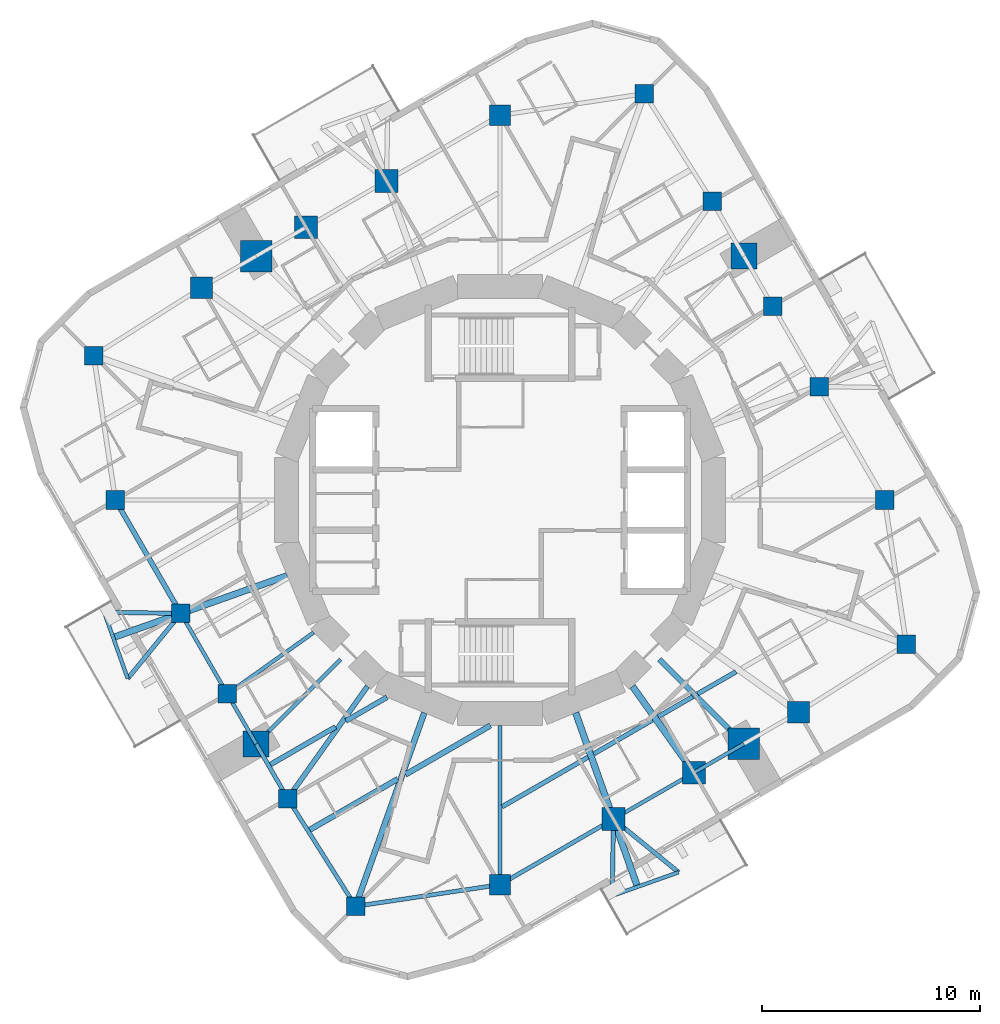
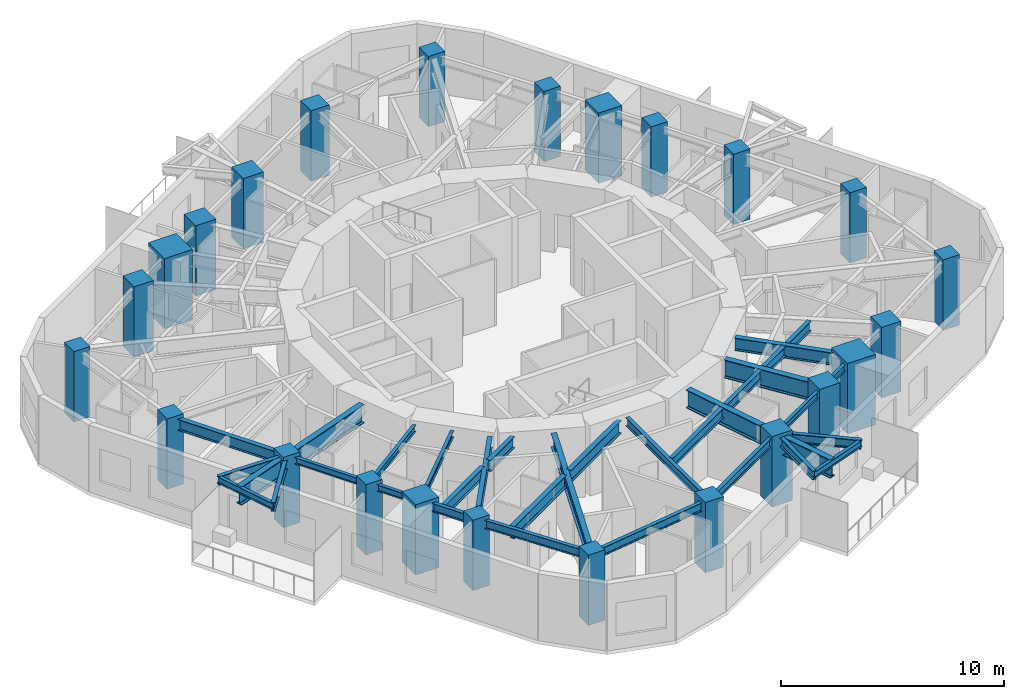
# One storey, part 1 of 11: 32 beams, 24 columns.
"""IFC4 building model written with IfcOpenShell, lengths in metres."""

from ifc_helpers import new_model, si_unit, direction, frame, origin, origin_2d, place, context, subcontext, project, spatial, rectangle, i_section, extrude, material, material_profile, profile_set, type_object, element, save


model = new_model("IFC4")

# Units and contexts
model_context = context("Model", 3, precision=1e-05, world=origin(), true_north=direction((0.0, 1.0)))
body_context = subcontext(model_context, "Body", "Model", "MODEL_VIEW")
ifc_project = project(units=[si_unit("LENGTHUNIT", "METRE"), si_unit("AREAUNIT", "SQUARE_METRE"), si_unit("VOLUMEUNIT", "CUBIC_METRE"), si_unit("PLANEANGLEUNIT", "RADIAN"), si_unit("MASSUNIT", "GRAM", prefix="KILO")], contexts=[model_context])

# Site, building, storey
site_placement = place(None, origin())
site = spatial("IfcSite", under=ifc_project, at=site_placement, CompositionType="ELEMENT")
building_placement = place(site_placement, origin())
building = spatial("IfcBuilding", under=site, at=building_placement, Name="Nakasero Lantern House", CompositionType="ELEMENT")
storey_placement = place(building_placement, frame((0.0, 0.0, 250.050048828125)))
storey = spatial("IfcBuildingStorey", under=building, at=storey_placement, Name="L61", CompositionType="ELEMENT", Elevation=250.050048828125)

# Columns
ifc_material_1 = material(Name="Concrete C45/55", Category="concrete")
ifc_material_profile_1 = material_profile(ifc_material_1, rectangle(XDim=1.199951171875, YDim=1.199951171875, at=origin_2d()), Name="RC 1200x1200")
ifc_profile_set_1 = profile_set([ifc_material_profile_1], Name="Concrete C45/55")
column_type_1 = type_object("IfcColumnType", Name="Mega column RC 1200x1200 C45/55", PredefinedType="COLUMN", material=ifc_profile_set_1)
for number, where, z_axis, x_axis, name in (
    (1, (11.200439453125, 11.200439453125, 0.0), (0.0, 0.0, 1.0), (1.0, 0.0, 0.0), "Column B6-C06 L61"),
    (2, (-11.200439453125, -11.200439453125, 0.0), (0.0, 0.0, 1.0), (1.0, 0.0, 0.0), "Column B6-C18 L61"),
):
    element("IfcColumn", number, at=place(storey_placement, frame(where, z_axis=z_axis, x_axis=x_axis)), inside=storey, type_object=column_type_1, Name=name, PredefinedType="COLUMN", context=body_context, shape_type="SweptSolid", body=[
        extrude(rectangle(XDim=1.199951171875, YDim=1.199951171875, at=origin_2d()), origin(), (0.0, 0.0, 1.0), 3.849853515625),
    ])
ifc_material_2 = material(Name="Concrete C45/55", Category="concrete")
ifc_material_profile_2 = material_profile(ifc_material_2, rectangle(XDim=1.449951171875, YDim=1.449951171875, at=origin_2d()), Name="RC 1450x1450")
ifc_profile_set_2 = profile_set([ifc_material_profile_2], Name="Concrete C45/55")
column_type_2 = type_object("IfcColumnType", Name="Mega column RC 1450x1450 C45/55", PredefinedType="COLUMN", material=ifc_profile_set_2)
for number, where, z_axis, x_axis, name in (
    (3, (-11.200439453125, 11.200439453125, 0.0), (0.0, 0.0, 1.0), (1.0, 0.0, 0.0), "Column B6-C12 L61"),
    (4, (11.200439453125, -11.200439453125, 0.0), (0.0, 0.0, 1.0), (1.0, 0.0, 0.0), "Column B6-C24 L61"),
):
    element("IfcColumn", number, at=place(storey_placement, frame(where, z_axis=z_axis, x_axis=x_axis)), inside=storey, type_object=column_type_2, Name=name, PredefinedType="COLUMN", context=body_context, shape_type="SweptSolid", body=[
        extrude(rectangle(XDim=1.449951171875, YDim=1.449951171875, at=origin_2d()), origin(), (0.0, 0.0, 1.0), 3.849853515625),
    ])
ifc_material_3 = material(Name="Concrete C45/55", Category="concrete")
ifc_material_profile_3 = material_profile(ifc_material_3, rectangle(XDim=1.0, YDim=1.0, at=origin_2d()), Name="RC 1000x1000")
ifc_profile_set_3 = profile_set([ifc_material_profile_3], Name="Concrete C45/55")
column_type_3 = type_object("IfcColumnType", Name="Ring column RC 1000x1000 C45/55", PredefinedType="COLUMN", material=ifc_profile_set_3)
for number, where, z_axis, x_axis, name in (
    (5, (13.711669921875, -9.75048828125, 0.0), (0.0, 0.0, 1.0), (1.0, 0.0, 0.0), "Column B6-C01 L61"),
    (6, (-13.711669921875, 9.75048828125, 0.0), (0.0, 0.0, 1.0), (1.0, 0.0, 0.0), "Column B6-C13 L61"),
):
    element("IfcColumn", number, at=place(storey_placement, frame(where, z_axis=z_axis, x_axis=x_axis)), inside=storey, type_object=column_type_3, Name=name, PredefinedType="COLUMN", context=body_context, shape_type="SweptSolid", body=[
        extrude(rectangle(XDim=1.0, YDim=1.0, at=origin_2d()), origin(), (0.0, 0.0, 1.0), 3.849853515625),
    ])
ifc_material_4 = material(Name="Concrete C45/55", Category="concrete")
ifc_material_profile_4 = material_profile(ifc_material_4, rectangle(XDim=1.050048828125, YDim=1.050048828125, at=origin_2d()), Name="RC 1050x1050")
ifc_profile_set_4 = profile_set([ifc_material_profile_4], Name="Concrete C45/55")
column_type_4 = type_object("IfcColumnType", Name="Ring column RC 1050x1050 C45/55", PredefinedType="COLUMN", material=ifc_profile_set_4)
for number, where, z_axis, x_axis, name in (
    (7, (-5.211669921875, 14.657958984375, 0.0), (0.0, 0.0, 1.0), (1.0, 0.0, 0.0), "Column B6-C10 L61"),
    (8, (-8.906494140625, 12.524658203125, 0.0), (0.0, 0.0, 1.0), (1.0, 0.0, 0.0), "Column B6-C11 L61"),
    (9, (5.211669921875, -14.657958984375, 0.0), (0.0, 0.0, 1.0), (1.0, 0.0, 0.0), "Column B6-C22 L61"),
    (10, (8.906494140625, -12.524658203125, 0.0), (0.0, 0.0, 1.0), (1.0, 0.0, 0.0), "Column B6-C23 L61"),
):
    element("IfcColumn", number, at=place(storey_placement, frame(where, z_axis=z_axis, x_axis=x_axis)), inside=storey, type_object=column_type_4, Name=name, PredefinedType="COLUMN", context=body_context, shape_type="SweptSolid", body=[
        extrude(rectangle(XDim=1.050048828125, YDim=1.050048828125, at=origin_2d()), origin(), (0.0, 0.0, 1.0), 3.849853515625),
    ])
ifc_material_5 = material(Name="Concrete C45/55", Category="concrete")
ifc_material_profile_5 = material_profile(ifc_material_5, rectangle(XDim=0.85009765625, YDim=0.85009765625, at=origin_2d()), Name="RC 850x850")
ifc_profile_set_5 = profile_set([ifc_material_profile_5], Name="Concrete C45/55")
column_type_5 = type_object("IfcColumnType", Name="Ring column RC 850x850 C45/55", PredefinedType="COLUMN", material=ifc_profile_set_5)
for number, where, z_axis, x_axis, name in (
    (11, (18.661376953125, -6.63525390625, 0.0), (0.0, 0.0, 1.0), (1.0, 0.0, 0.0), "Column B6-C02 L61"),
    (12, (17.6669921875, 0.0, 0.0), (0.0, 0.0, 1.0), (1.0, 0.0, 0.0), "Column B6-C03 L61"),
    (13, (14.657958984375, 5.211669921875, 0.0), (0.0, 0.0, 1.0), (1.0, 0.0, 0.0), "Column B6-C04 L61"),
    (14, (12.524658203125, 8.906494140625, 0.0), (0.0, 0.0, 1.0), (1.0, 0.0, 0.0), "Column B6-C05 L61"),
    (15, (9.75048828125, 13.711669921875, 0.0), (0.0, 0.0, 1.0), (1.0, 0.0, 0.0), "Column B6-C07 L61"),
    (16, (6.63525390625, 18.661376953125, 0.0), (0.0, 0.0, 1.0), (1.0, 0.0, 0.0), "Column B6-C08 L61"),
    (17, (-18.661376953125, 6.63525390625, 0.0), (0.0, 0.0, 1.0), (1.0, 0.0, 0.0), "Column B6-C14 L61"),
    (18, (-17.6669921875, 0.0, 0.0), (0.0, 0.0, 1.0), (1.0, 0.0, 0.0), "Column B6-C15 L61"),
    (19, (-14.657958984375, -5.211669921875, 0.0), (0.0, 0.0, 1.0), (1.0, 0.0, 0.0), "Column B6-C16 L61"),
    (20, (-12.524658203125, -8.906494140625, 0.0), (0.0, 0.0, 1.0), (1.0, 0.0, 0.0), "Column B6-C17 L61"),
    (21, (-9.75048828125, -13.711669921875, 0.0), (0.0, 0.0, 1.0), (1.0, 0.0, 0.0), "Column B6-C19 L61"),
    (22, (-6.63525390625, -18.661376953125, 0.0), (0.0, 0.0, 1.0), (1.0, 0.0, 0.0), "Column B6-C20 L61"),
):
    element("IfcColumn", number, at=place(storey_placement, frame(where, z_axis=z_axis, x_axis=x_axis)), inside=storey, type_object=column_type_5, Name=name, PredefinedType="COLUMN", context=body_context, shape_type="SweptSolid", body=[
        extrude(rectangle(XDim=0.85009765625, YDim=0.85009765625, at=origin_2d()), origin(), (0.0, 0.0, 1.0), 3.849853515625),
    ])
ifc_material_6 = material(Name="Concrete C45/55", Category="concrete")
ifc_material_profile_6 = material_profile(ifc_material_6, rectangle(XDim=0.949951171875, YDim=0.949951171875, at=origin_2d()), Name="RC 950x950")
ifc_profile_set_6 = profile_set([ifc_material_profile_6], Name="Concrete C45/55")
column_type_6 = type_object("IfcColumnType", Name="Ring column RC 950x950 C45/55", PredefinedType="COLUMN", material=ifc_profile_set_6)
for number, where, z_axis, x_axis, name in (
    (23, (0.0, 17.6669921875, 0.0), (0.0, 0.0, 1.0), (1.0, 0.0, 0.0), "Column B6-C09 L61"),
    (24, (0.0, -17.6669921875, 0.0), (0.0, 0.0, 1.0), (1.0, 0.0, 0.0), "Column B6-C21 L61"),
):
    element("IfcColumn", number, at=place(storey_placement, frame(where, z_axis=z_axis, x_axis=x_axis)), inside=storey, type_object=column_type_6, Name=name, PredefinedType="COLUMN", context=body_context, shape_type="SweptSolid", body=[
        extrude(rectangle(XDim=0.949951171875, YDim=0.949951171875, at=origin_2d()), origin(), (0.0, 0.0, 1.0), 3.849853515625),
    ])

# Beams
ifc_material_7 = material(Name="Steel S355", Category="steel")
ifc_material_profile_7 = material_profile(ifc_material_7, i_section(OverallWidth=0.199462890625, OverallDepth=0.491943359375, WebThickness=0.01806640625, FlangeThickness=0.031982421875, FilletRadius=0.01025390625, at=origin_2d()), Name="UB 457x191x161")
ifc_profile_set_7 = profile_set([ifc_material_profile_7], Name="Steel S355")
beam_type_1 = type_object("IfcBeamType", Name="Balcony splay beam UB 457x191x161", PredefinedType="BEAM", material=ifc_profile_set_7)
beam_1_placement = place(storey_placement, frame((-14.657958984375, -5.211669921875, 3.404052734375), z_axis=(-0.632127727159, -0.774864205236, 0.0), x_axis=(0.774864205236, -0.632127727159, 0.0)))
element("IfcBeam", 25, at=beam_1_placement, inside=storey, type_object=beam_type_1, Name="Balcony splay beam L62 B6-C16A", PredefinedType="BEAM", context=body_context, shape_type="SweptSolid", body=[
    extrude(i_section(OverallWidth=0.199462890625, OverallDepth=0.491943359375, WebThickness=0.01806640625, FlangeThickness=0.031982421875, FilletRadius=0.01025390625, at=origin_2d()), origin(), (0.0, 0.0, 1.0), 3.858642578125),
])
beam_2_placement = place(storey_placement, frame((-14.657958984375, -5.211669921875, 3.404052734375), z_axis=(-0.99985827803, 0.016835196893, 0.0), x_axis=(-0.016835196893, -0.99985827803, 0.0)))
element("IfcBeam", 26, at=beam_2_placement, inside=storey, type_object=beam_type_1, Name="Balcony splay beam L62 B6-C16B", PredefinedType="BEAM", context=body_context, shape_type="SweptSolid", body=[
    extrude(i_section(OverallWidth=0.199462890625, OverallDepth=0.491943359375, WebThickness=0.01806640625, FlangeThickness=0.031982421875, FilletRadius=0.01025390625, at=origin_2d()), origin(), (0.0, 0.0, 1.0), 3.52392578125),
])
beam_3_placement = place(storey_placement, frame((5.211669921875, -14.657958984375, 3.404052734375), z_axis=(0.774864205236, -0.632127727159, 0.0), x_axis=(0.632127727159, 0.774864205236, 0.0)))
element("IfcBeam", 27, at=beam_3_placement, inside=storey, type_object=beam_type_1, Name="Balcony splay beam L62 B6-C22A", PredefinedType="BEAM", context=body_context, shape_type="SweptSolid", body=[
    extrude(i_section(OverallWidth=0.199462890625, OverallDepth=0.491943359375, WebThickness=0.01806640625, FlangeThickness=0.031982421875, FilletRadius=0.01025390625, at=origin_2d()), origin(), (0.0, 0.0, 1.0), 3.858642578125),
])
beam_4_placement = place(storey_placement, frame((5.211669921875, -14.657958984375, 3.404052734375), z_axis=(-0.016835196893, -0.99985827803, 0.0), x_axis=(0.99985827803, -0.016835196893, 0.0)))
element("IfcBeam", 28, at=beam_4_placement, inside=storey, type_object=beam_type_1, Name="Balcony splay beam L62 B6-C22B", PredefinedType="BEAM", context=body_context, shape_type="SweptSolid", body=[
    extrude(i_section(OverallWidth=0.199462890625, OverallDepth=0.491943359375, WebThickness=0.01806640625, FlangeThickness=0.031982421875, FilletRadius=0.01025390625, at=origin_2d()), origin(), (0.0, 0.0, 1.0), 3.52392578125),
])
ifc_material_8 = material(Name="Steel S355", Category="steel")
ifc_material_profile_8 = material_profile(ifc_material_8, i_section(OverallWidth=0.17138671875, OverallDepth=0.35498046875, WebThickness=0.00732421875, FlangeThickness=0.011474609375, FilletRadius=0.01025390625, at=origin_2d()), Name="UB 356x171x51")
ifc_profile_set_8 = profile_set([ifc_material_profile_8], Name="Steel S355")
beam_type_2 = type_object("IfcBeamType", Name="Balcony tie beam UB 356x171x51", PredefinedType="BEAM", material=ifc_profile_set_8)
for number, where, z_axis, x_axis, name in (
    (29, (-17.09716796875, -8.20166015625, 3.472412109375), (-0.335017108852, 0.942212044487, 0.0), (-0.942212044487, -0.335017108852, 0.0), "Balcony tie beam L62 B6-C16"),
    (30, (8.20166015625, -17.09716796875, 3.472412109375), (-0.942212044487, -0.335017108852, 0.0), (0.335017108852, -0.942212044487, 0.0), "Balcony tie beam L62 B6-C22"),
):
    element("IfcBeam", number, at=place(storey_placement, frame(where, z_axis=z_axis, x_axis=x_axis)), inside=storey, type_object=beam_type_2, Name=name, PredefinedType="BEAM", context=body_context, shape_type="SweptSolid", body=[
        extrude(i_section(OverallWidth=0.17138671875, OverallDepth=0.35498046875, WebThickness=0.00732421875, FlangeThickness=0.011474609375, FilletRadius=0.01025390625, at=origin_2d()), origin(), (0.0, 0.0, 1.0), 3.236328125),
    ])
ifc_material_9 = material(Name="Steel S355", Category="steel")
ifc_material_profile_9 = material_profile(ifc_material_9, i_section(OverallWidth=0.2099609375, OverallDepth=0.53662109375, WebThickness=0.0107421875, FlangeThickness=0.017333984375, FilletRadius=0.0126953125, at=origin_2d()), Name="UB 533x210x101")
ifc_profile_set_9 = profile_set([ifc_material_profile_9], Name="Steel S355")
beam_type_3 = type_object("IfcBeamType", Name="Infill beam UB 533x210x101", PredefinedType="JOIST", material=ifc_profile_set_9)
beam_5_placement = place(storey_placement, frame((0.095703125, -14.08984375, 3.381591796875), z_axis=(0.866027576455, 0.499996236806, 0.0), x_axis=(-0.499996236806, 0.866027576455, 0.0)))
element("IfcBeam", 31, at=beam_5_placement, inside=storey, type_object=beam_type_3, Name="Infill beam L62 03.1", PredefinedType="JOIST", context=body_context, shape_type="SweptSolid", body=[
    extrude(i_section(OverallWidth=0.2099609375, OverallDepth=0.53662109375, WebThickness=0.0107421875, FlangeThickness=0.017333984375, FilletRadius=0.0126953125, at=origin_2d()), origin(), (0.0, 0.0, 1.0), 4.55419921875),
])
beam_6_placement = place(storey_placement, frame((4.3056640625, -11.6591796875, 3.381591796875), z_axis=(0.866018346476, 0.500012223418, 0.0), x_axis=(-0.500012223418, 0.866018346476, 0.0)))
element("IfcBeam", 32, at=beam_6_placement, inside=storey, type_object=beam_type_3, Name="Infill beam L62 03.2", PredefinedType="JOIST", context=body_context, shape_type="SweptSolid", body=[
    extrude(i_section(OverallWidth=0.2099609375, OverallDepth=0.53662109375, WebThickness=0.0107421875, FlangeThickness=0.017333984375, FilletRadius=0.0126953125, at=origin_2d()), origin(), (0.0, 0.0, 1.0), 3.11181640625),
])
beam_7_placement = place(storey_placement, frame((7.261474609375, -9.95263671875, 3.381591796875), z_axis=(0.866068339032, 0.499925626596, 0.0), x_axis=(-0.499925626596, 0.866068339032, 0.0)))
element("IfcBeam", 33, at=beam_7_placement, inside=storey, type_object=beam_type_3, Name="Infill beam L62 03.3", PredefinedType="JOIST", context=body_context, shape_type="SweptSolid", body=[
    extrude(i_section(OverallWidth=0.2099609375, OverallDepth=0.53662109375, WebThickness=0.0107421875, FlangeThickness=0.017333984375, FilletRadius=0.0126953125, at=origin_2d()), origin(), (0.0, 0.0, 1.0), 1.837646484375),
])
beam_8_placement = place(storey_placement, frame((9.082275390625, -8.9013671875, 3.381591796875), z_axis=(0.866057323903, 0.499944708657, 0.0), x_axis=(-0.499944708657, 0.866057323903, 0.0)))
element("IfcBeam", 34, at=beam_8_placement, inside=storey, type_object=beam_type_3, Name="Infill beam L62 03.4", PredefinedType="JOIST", context=body_context, shape_type="SweptSolid", body=[
    extrude(i_section(OverallWidth=0.2099609375, OverallDepth=0.53662109375, WebThickness=0.0107421875, FlangeThickness=0.017333984375, FilletRadius=0.0126953125, at=origin_2d()), origin(), (0.0, 0.0, 1.0), 2.028564453125),
])
ifc_material_10 = material(Name="Steel S355", Category="steel")
ifc_material_profile_10 = material_profile(ifc_material_10, i_section(OverallWidth=0.22900390625, OverallDepth=0.6123046875, WebThickness=0.011962890625, FlangeThickness=0.01953125, FilletRadius=0.0126953125, at=origin_2d()), Name="UB 610x229x125")
ifc_profile_set_10 = profile_set([ifc_material_profile_10], Name="Steel S355")
beam_type_4 = type_object("IfcBeamType", Name="Infill beam UB 610x229x125", PredefinedType="JOIST", material=ifc_profile_set_10)
beam_9_placement = place(storey_placement, frame((-10.542236328125, -12.14892578125, 3.34375), z_axis=(0.866006607564, 0.500032554596, 0.0), x_axis=(-0.500032554596, 0.866006607564, 0.0)))
element("IfcBeam", 35, at=beam_9_placement, inside=storey, type_object=beam_type_4, Name="Infill beam L62 05.1", PredefinedType="JOIST", context=body_context, shape_type="SweptSolid", body=[
    extrude(i_section(OverallWidth=0.22900390625, OverallDepth=0.6123046875, WebThickness=0.011962890625, FlangeThickness=0.01953125, FilletRadius=0.0126953125, at=origin_2d()), origin(), (0.0, 0.0, 1.0), 3.452880859375),
])
beam_10_placement = place(storey_placement, frame((-7.0751953125, -10.14697265625, 3.34375), z_axis=(0.866043427695, 0.499968780372, 0.0), x_axis=(-0.499968780372, 0.866043427695, 0.0)))
element("IfcBeam", 36, at=beam_10_placement, inside=storey, type_object=beam_type_4, Name="Infill beam L62 05.2", PredefinedType="JOIST", context=body_context, shape_type="SweptSolid", body=[
    extrude(i_section(OverallWidth=0.22900390625, OverallDepth=0.6123046875, WebThickness=0.011962890625, FlangeThickness=0.01953125, FilletRadius=0.0126953125, at=origin_2d()), origin(), (0.0, 0.0, 1.0), 2.173583984375),
])
ifc_material_11 = material(Name="Steel S355", Category="steel")
ifc_material_profile_11 = material_profile(ifc_material_11, i_section(OverallWidth=0.253662109375, OverallDepth=0.68359375, WebThickness=0.012451171875, FlangeThickness=0.01904296875, FilletRadius=0.01513671875, at=origin_2d()), Name="UB 686x254x140")
ifc_profile_set_11 = profile_set([ifc_material_profile_11], Name="Steel S355")
beam_type_5 = type_object("IfcBeamType", Name="Infill beam UB 686x254x140", PredefinedType="JOIST", material=ifc_profile_set_11)
beam_11_placement = place(storey_placement, frame((-8.735107421875, -15.146728515625, 3.30810546875), z_axis=(0.866023347809, 0.500003561037, 0.0), x_axis=(-0.500003561037, 0.866023347809, 0.0)))
element("IfcBeam", 37, at=beam_11_placement, inside=storey, type_object=beam_type_5, Name="Infill beam L62 04.1", PredefinedType="JOIST", context=body_context, shape_type="SweptSolid", body=[
    extrude(i_section(OverallWidth=0.253662109375, OverallDepth=0.68359375, WebThickness=0.012451171875, FlangeThickness=0.01904296875, FilletRadius=0.01513671875, at=origin_2d()), origin(), (0.0, 0.0, 1.0), 4.6611328125),
])
beam_12_placement = place(storey_placement, frame((-4.34228515625, -12.610595703125, 3.30810546875), z_axis=(0.866030378168, 0.499991384017, 0.0), x_axis=(-0.499991384017, 0.866030378168, 0.0)))
element("IfcBeam", 38, at=beam_12_placement, inside=storey, type_object=beam_type_5, Name="Infill beam L62 04.2", PredefinedType="JOIST", context=body_context, shape_type="SweptSolid", body=[
    extrude(i_section(OverallWidth=0.253662109375, OverallDepth=0.68359375, WebThickness=0.012451171875, FlangeThickness=0.01904296875, FilletRadius=0.01513671875, at=origin_2d()), origin(), (0.0, 0.0, 1.0), 4.50537109375),
])
ifc_material_12 = material(Name="Steel S355", Category="steel")
ifc_material_profile_12 = material_profile(ifc_material_12, i_section(OverallWidth=0.300048828125, OverallDepth=1.0, WebThickness=0.01904296875, FlangeThickness=0.035888671875, FilletRadius=0.030029296875, at=origin_2d()), Name="UB 1016x305x314")
ifc_profile_set_12 = profile_set([ifc_material_profile_12], Name="Steel S355")
beam_type_6 = type_object("IfcBeamType", Name="Primary beam UB 1016x305x314, span to 6 m", PredefinedType="BEAM", material=ifc_profile_set_12)
beam_13_placement = place(storey_placement, frame((8.906494140625, -12.524658203125, 3.14990234375), z_axis=(-0.579513415446, 0.814962699342, 0.0), x_axis=(-0.814962699342, -0.579513415446, 0.0)))
element("IfcBeam", 39, at=beam_13_placement, inside=storey, type_object=beam_type_6, Name="Primary beam L62 B6-C23", PredefinedType="BEAM", context=body_context, shape_type="SweptSolid", body=[
    extrude(i_section(OverallWidth=0.300048828125, OverallDepth=1.0, WebThickness=0.01904296875, FlangeThickness=0.035888671875, FilletRadius=0.030029296875, at=origin_2d()), origin(), (0.0, 0.0, 1.0), 4.8642578125),
])
ifc_material_13 = material(Name="Steel S355", Category="steel")
ifc_material_profile_13 = material_profile(ifc_material_13, i_section(OverallWidth=0.302001953125, OverallDepth=1.008056640625, WebThickness=0.02099609375, FlangeThickness=0.0400390625, FilletRadius=0.030029296875, at=origin_2d()), Name="UB 1016x305x349")
ifc_profile_set_13 = profile_set([ifc_material_profile_13], Name="Steel S355")
beam_type_7 = type_object("IfcBeamType", Name="Primary beam UB 1016x305x349, span to 6 m", PredefinedType="BEAM", material=ifc_profile_set_13)
for number, where, z_axis, x_axis, name in (
    (40, (-17.767333984375, -6.317138671875, 3.14599609375), (0.94222457875, 0.33498185503, 0.0), (-0.33498185503, 0.94222457875, 0.0), "Primary beam L62 B6-C16"),
    (41, (6.317138671875, -17.767333984375, 3.14599609375), (-0.33498185503, 0.94222457875, 0.0), (-0.94222457875, -0.33498185503, 0.0), "Primary beam L62 B6-C22"),
):
    element("IfcBeam", number, at=place(storey_placement, frame(where, z_axis=z_axis, x_axis=x_axis)), inside=storey, type_object=beam_type_7, Name=name, PredefinedType="BEAM", context=body_context, shape_type="SweptSolid", body=[
        extrude(i_section(OverallWidth=0.302001953125, OverallDepth=1.008056640625, WebThickness=0.02099609375, FlangeThickness=0.0400390625, FilletRadius=0.030029296875, at=origin_2d()), origin(), (0.0, 0.0, 1.0), 8.485595703125),
    ])
ifc_material_14 = material(Name="Steel S355", Category="steel")
ifc_material_profile_14 = material_profile(ifc_material_14, i_section(OverallWidth=0.17138671875, OverallDepth=0.35498046875, WebThickness=0.00732421875, FlangeThickness=0.011474609375, FilletRadius=0.01025390625, at=origin_2d()), Name="UB 356x171x51")
ifc_profile_set_14 = profile_set([ifc_material_profile_14], Name="Steel S355")
beam_type_8 = type_object("IfcBeamType", Name="Primary beam UB 356x171x51, span to 6 m", PredefinedType="BEAM", material=ifc_profile_set_14)
beam_14_placement = place(storey_placement, frame((-12.524658203125, -8.906494140625, 3.472412109375), z_axis=(0.814962699342, 0.579513415446, 0.0), x_axis=(-0.579513415446, 0.814962699342, 0.0)))
element("IfcBeam", 42, at=beam_14_placement, inside=storey, type_object=beam_type_8, Name="Primary beam L62 B6-C17", PredefinedType="BEAM", context=body_context, shape_type="SweptSolid", body=[
    extrude(i_section(OverallWidth=0.17138671875, OverallDepth=0.35498046875, WebThickness=0.00732421875, FlangeThickness=0.011474609375, FilletRadius=0.01025390625, at=origin_2d()), origin(), (0.0, 0.0, 1.0), 4.8642578125),
])
beam_15_placement = place(storey_placement, frame((-11.200439453125, -11.200439453125, 3.472412109375), z_axis=(0.707106781187, 0.707106781187, 0.0), x_axis=(-0.707106781187, 0.707106781187, 0.0)))
element("IfcBeam", 43, at=beam_15_placement, inside=storey, type_object=beam_type_8, Name="Primary beam L62 B6-C18", PredefinedType="BEAM", context=body_context, shape_type="SweptSolid", body=[
    extrude(i_section(OverallWidth=0.17138671875, OverallDepth=0.35498046875, WebThickness=0.00732421875, FlangeThickness=0.011474609375, FilletRadius=0.01025390625, at=origin_2d()), origin(), (0.0, 0.0, 1.0), 5.481689453125),
])
ifc_material_15 = material(Name="Steel S355", Category="steel")
ifc_material_profile_15 = material_profile(ifc_material_15, i_section(OverallWidth=0.19140625, OverallDepth=0.4599609375, WebThickness=0.010009765625, FlangeThickness=0.01611328125, FilletRadius=0.01025390625, at=origin_2d()), Name="UB 457x191x82")
ifc_profile_set_15 = profile_set([ifc_material_profile_15], Name="Steel S355")
beam_type_9 = type_object("IfcBeamType", Name="Primary beam UB 457x191x82, span 6 to 9 m", PredefinedType="BEAM", material=ifc_profile_set_15)
beam_16_placement = place(storey_placement, frame((0.0, -17.6669921875, 3.419921875), z_axis=(0.0, 1.0, 0.0), x_axis=(-1.0, 0.0, 0.0)))
element("IfcBeam", 44, at=beam_16_placement, inside=storey, type_object=beam_type_9, Name="Primary beam L62 B6-C21", PredefinedType="BEAM", context=body_context, shape_type="SweptSolid", body=[
    extrude(i_section(OverallWidth=0.19140625, OverallDepth=0.4599609375, WebThickness=0.010009765625, FlangeThickness=0.01611328125, FilletRadius=0.01025390625, at=origin_2d()), origin(), (0.0, 0.0, 1.0), 7.30908203125),
])
ifc_material_16 = material(Name="Steel S355", Category="steel")
ifc_material_profile_16 = material_profile(ifc_material_16, i_section(OverallWidth=0.22900390625, OverallDepth=0.6123046875, WebThickness=0.011962890625, FlangeThickness=0.01953125, FilletRadius=0.0126953125, at=origin_2d()), Name="UB 610x229x125")
ifc_profile_set_16 = profile_set([ifc_material_profile_16], Name="Steel S355")
beam_type_10 = type_object("IfcBeamType", Name="Primary beam UB 610x229x125, span 6 to 9 m", PredefinedType="BEAM", material=ifc_profile_set_16)
beam_17_placement = place(storey_placement, frame((-9.75048828125, -13.711669921875, 3.34375), z_axis=(0.579504973637, 0.814968702178, 0.0), x_axis=(-0.814968702178, 0.579504973637, 0.0)))
element("IfcBeam", 45, at=beam_17_placement, inside=storey, type_object=beam_type_10, Name="Primary beam L62 B6-C19", PredefinedType="BEAM", context=body_context, shape_type="SweptSolid", body=[
    extrude(i_section(OverallWidth=0.22900390625, OverallDepth=0.6123046875, WebThickness=0.011962890625, FlangeThickness=0.01953125, FilletRadius=0.0126953125, at=origin_2d()), origin(), (0.0, 0.0, 1.0), 6.320556640625),
])
ifc_material_17 = material(Name="Steel S355", Category="steel")
ifc_material_profile_17 = material_profile(ifc_material_17, i_section(OverallWidth=0.255859375, OverallDepth=0.69287109375, WebThickness=0.014404296875, FlangeThickness=0.023681640625, FilletRadius=0.01513671875, at=origin_2d()), Name="UB 686x254x170")
ifc_profile_set_17 = profile_set([ifc_material_profile_17], Name="Steel S355")
beam_type_11 = type_object("IfcBeamType", Name="Primary beam UB 686x254x170, span to 6 m", PredefinedType="BEAM", material=ifc_profile_set_17)
beam_18_placement = place(storey_placement, frame((11.200439453125, -11.200439453125, 3.303466796875), z_axis=(-0.707106781187, 0.707106781187, 0.0), x_axis=(-0.707106781187, -0.707106781187, 0.0)))
element("IfcBeam", 46, at=beam_18_placement, inside=storey, type_object=beam_type_11, Name="Primary beam L62 B6-C24", PredefinedType="BEAM", context=body_context, shape_type="SweptSolid", body=[
    extrude(i_section(OverallWidth=0.255859375, OverallDepth=0.69287109375, WebThickness=0.014404296875, FlangeThickness=0.023681640625, FilletRadius=0.01513671875, at=origin_2d()), origin(), (0.0, 0.0, 1.0), 5.481689453125),
])
ifc_material_18 = material(Name="Steel S355", Category="steel")
ifc_material_profile_18 = material_profile(ifc_material_18, i_section(OverallWidth=0.2666015625, OverallDepth=0.76220703125, WebThickness=0.014404296875, FlangeThickness=0.021484375, FilletRadius=0.0166015625, at=origin_2d()), Name="UB 762x267x173")
ifc_profile_set_18 = profile_set([ifc_material_profile_18], Name="Steel S355")
beam_type_12 = type_object("IfcBeamType", Name="Primary beam UB 762x267x173, span 9 to 12 m", PredefinedType="BEAM", material=ifc_profile_set_18)
beam_19_placement = place(storey_placement, frame((-6.63525390625, -18.661376953125, 3.268798828125), z_axis=(0.335006604588, 0.942215779364, 0.0), x_axis=(-0.942215779364, 0.335006604588, 0.0)))
element("IfcBeam", 47, at=beam_19_placement, inside=storey, type_object=beam_type_12, Name="Primary beam L62 B6-C20", PredefinedType="BEAM", context=body_context, shape_type="SweptSolid", body=[
    extrude(i_section(OverallWidth=0.2666015625, OverallDepth=0.76220703125, WebThickness=0.014404296875, FlangeThickness=0.021484375, FilletRadius=0.0166015625, at=origin_2d()), origin(), (0.0, 0.0, 1.0), 9.4345703125),
])
ifc_material_19 = material(Name="Steel S355", Category="steel")
ifc_material_profile_19 = material_profile(ifc_material_19, i_section(OverallWidth=0.17138671875, OverallDepth=0.35498046875, WebThickness=0.00732421875, FlangeThickness=0.011474609375, FilletRadius=0.01025390625, at=origin_2d()), Name="UB 356x171x51")
ifc_profile_set_19 = profile_set([ifc_material_profile_19], Name="Steel S355")
beam_type_13 = type_object("IfcBeamType", Name="Ring beam UB 356x171x51", PredefinedType="BEAM", material=ifc_profile_set_19)
beam_20_placement = place(storey_placement, frame((-14.657958984375, -5.211669921875, 3.472412109375), z_axis=(0.500016352561, -0.866015962423, 0.0), x_axis=(0.866015962423, 0.500016352561, 0.0)))
element("IfcBeam", 48, at=beam_20_placement, inside=storey, type_object=beam_type_13, Name="Ring beam L62 B6-C16", PredefinedType="BEAM", context=body_context, shape_type="SweptSolid", body=[
    extrude(i_section(OverallWidth=0.17138671875, OverallDepth=0.35498046875, WebThickness=0.00732421875, FlangeThickness=0.011474609375, FilletRadius=0.01025390625, at=origin_2d()), origin(), (0.0, 0.0, 1.0), 4.266357421875),
])
beam_21_placement = place(storey_placement, frame((-12.524658203125, -8.906494140625, 3.472412109375), z_axis=(0.499945861543, -0.866056658381, 0.0), x_axis=(0.866056658381, 0.499945861543, 0.0)))
element("IfcBeam", 49, at=beam_21_placement, inside=storey, type_object=beam_type_13, Name="Ring beam L62 B6-C17", PredefinedType="BEAM", context=body_context, shape_type="SweptSolid", body=[
    extrude(i_section(OverallWidth=0.17138671875, OverallDepth=0.35498046875, WebThickness=0.00732421875, FlangeThickness=0.011474609375, FilletRadius=0.01025390625, at=origin_2d()), origin(), (0.0, 0.0, 1.0), 2.648681640625),
])
beam_22_placement = place(storey_placement, frame((5.211669921875, -14.657958984375, 3.472412109375), z_axis=(0.866015962423, 0.500016352561, 0.0), x_axis=(-0.500016352561, 0.866015962423, 0.0)))
element("IfcBeam", 50, at=beam_22_placement, inside=storey, type_object=beam_type_13, Name="Ring beam L62 B6-C22", PredefinedType="BEAM", context=body_context, shape_type="SweptSolid", body=[
    extrude(i_section(OverallWidth=0.17138671875, OverallDepth=0.35498046875, WebThickness=0.00732421875, FlangeThickness=0.011474609375, FilletRadius=0.01025390625, at=origin_2d()), origin(), (0.0, 0.0, 1.0), 4.266357421875),
])
beam_23_placement = place(storey_placement, frame((8.906494140625, -12.524658203125, 3.472412109375), z_axis=(0.866056658381, 0.499945861543, 0.0), x_axis=(-0.499945861543, 0.866056658381, 0.0)))
element("IfcBeam", 51, at=beam_23_placement, inside=storey, type_object=beam_type_13, Name="Ring beam L62 B6-C23", PredefinedType="BEAM", context=body_context, shape_type="SweptSolid", body=[
    extrude(i_section(OverallWidth=0.17138671875, OverallDepth=0.35498046875, WebThickness=0.00732421875, FlangeThickness=0.011474609375, FilletRadius=0.01025390625, at=origin_2d()), origin(), (0.0, 0.0, 1.0), 2.648681640625),
])
ifc_material_20 = material(Name="Steel S355", Category="steel")
ifc_material_profile_20 = material_profile(ifc_material_20, i_section(OverallWidth=0.18994140625, OverallDepth=0.453369140625, WebThickness=0.008544921875, FlangeThickness=0.0126953125, FilletRadius=0.01025390625, at=origin_2d()), Name="UB 457x191x67")
ifc_profile_set_20 = profile_set([ifc_material_profile_20], Name="Steel S355")
beam_type_14 = type_object("IfcBeamType", Name="Ring beam UB 457x191x67", PredefinedType="BEAM", material=ifc_profile_set_20)
beam_24_placement = place(storey_placement, frame((-9.75048828125, -13.711669921875, 3.42333984375), z_axis=(0.532660471024, -0.846329027393, 0.0), x_axis=(0.846329027393, 0.532660471024, 0.0)))
element("IfcBeam", 52, at=beam_24_placement, inside=storey, type_object=beam_type_14, Name="Ring beam L62 B6-C19", PredefinedType="BEAM", context=body_context, shape_type="SweptSolid", body=[
    extrude(i_section(OverallWidth=0.18994140625, OverallDepth=0.453369140625, WebThickness=0.008544921875, FlangeThickness=0.0126953125, FilletRadius=0.01025390625, at=origin_2d()), origin(), (0.0, 0.0, 1.0), 5.848388671875),
])
beam_25_placement = place(storey_placement, frame((0.0, -17.6669921875, 3.42333984375), z_axis=(0.866020066889, 0.50000924366, 0.0), x_axis=(-0.50000924366, 0.866020066889, 0.0)))
element("IfcBeam", 53, at=beam_25_placement, inside=storey, type_object=beam_type_14, Name="Ring beam L62 B6-C21", PredefinedType="BEAM", context=body_context, shape_type="SweptSolid", body=[
    extrude(i_section(OverallWidth=0.18994140625, OverallDepth=0.453369140625, WebThickness=0.008544921875, FlangeThickness=0.0126953125, FilletRadius=0.01025390625, at=origin_2d()), origin(), (0.0, 0.0, 1.0), 6.01806640625),
])
ifc_material_21 = material(Name="Steel S355", Category="steel")
ifc_material_profile_21 = material_profile(ifc_material_21, i_section(OverallWidth=0.19140625, OverallDepth=0.4599609375, WebThickness=0.010009765625, FlangeThickness=0.01611328125, FilletRadius=0.01025390625, at=origin_2d()), Name="UB 457x191x82")
ifc_profile_set_21 = profile_set([ifc_material_profile_21], Name="Steel S355")
beam_type_15 = type_object("IfcBeamType", Name="Ring beam UB 457x191x82", PredefinedType="BEAM", material=ifc_profile_set_21)
beam_26_placement = place(storey_placement, frame((-11.200439453125, -11.200439453125, 3.419921875), z_axis=(0.500023687443, -0.866011727401, 0.0), x_axis=(0.866011727401, 0.500023687443, 0.0)))
element("IfcBeam", 54, at=beam_26_placement, inside=storey, type_object=beam_type_15, Name="Ring beam L62 B6-C18", PredefinedType="BEAM", context=body_context, shape_type="SweptSolid", body=[
    extrude(i_section(OverallWidth=0.19140625, OverallDepth=0.4599609375, WebThickness=0.010009765625, FlangeThickness=0.01611328125, FilletRadius=0.01025390625, at=origin_2d()), origin(), (0.0, 0.0, 1.0), 2.899658203125),
])
beam_27_placement = place(storey_placement, frame((-6.63525390625, -18.661376953125, 3.419921875), z_axis=(0.988956095107, 0.148208778253, 0.0), x_axis=(-0.148208778253, 0.988956095107, 0.0)))
element("IfcBeam", 55, at=beam_27_placement, inside=storey, type_object=beam_type_15, Name="Ring beam L62 B6-C20", PredefinedType="BEAM", context=body_context, shape_type="SweptSolid", body=[
    extrude(i_section(OverallWidth=0.19140625, OverallDepth=0.4599609375, WebThickness=0.010009765625, FlangeThickness=0.01611328125, FilletRadius=0.01025390625, at=origin_2d()), origin(), (0.0, 0.0, 1.0), 6.70947265625),
])
ifc_material_22 = material(Name="Steel S355", Category="steel")
ifc_material_profile_22 = material_profile(ifc_material_22, i_section(OverallWidth=0.22900390625, OverallDepth=0.6123046875, WebThickness=0.011962890625, FlangeThickness=0.01953125, FilletRadius=0.0126953125, at=origin_2d()), Name="UB 610x229x125")
ifc_profile_set_22 = profile_set([ifc_material_profile_22], Name="Steel S355")
beam_type_16 = type_object("IfcBeamType", Name="Ring beam UB 610x229x125", PredefinedType="BEAM", material=ifc_profile_set_22)
beam_28_placement = place(storey_placement, frame((-17.6669921875, 0.0, 3.34375), z_axis=(0.50000924366, -0.866020066889, 0.0), x_axis=(0.866020066889, 0.50000924366, 0.0)))
element("IfcBeam", 56, at=beam_28_placement, inside=storey, type_object=beam_type_16, Name="Ring beam L62 B6-C15", PredefinedType="BEAM", context=body_context, shape_type="SweptSolid", body=[
    extrude(i_section(OverallWidth=0.22900390625, OverallDepth=0.6123046875, WebThickness=0.011962890625, FlangeThickness=0.01953125, FilletRadius=0.0126953125, at=origin_2d()), origin(), (0.0, 0.0, 1.0), 6.01806640625),
])

save(model, "model.ifc")
